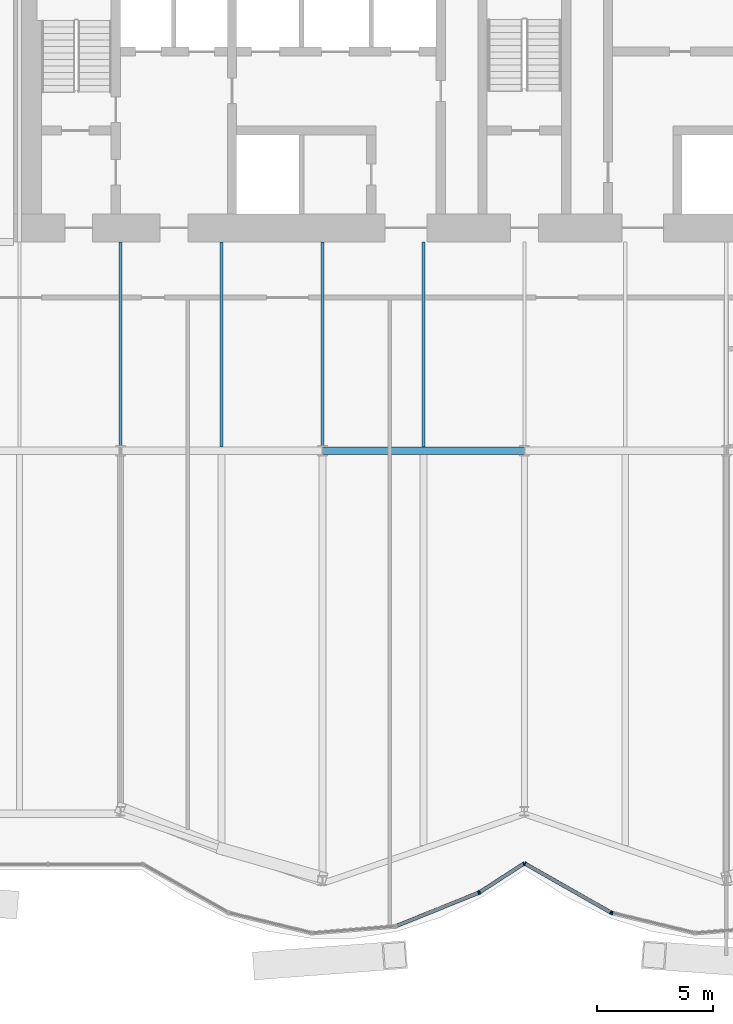
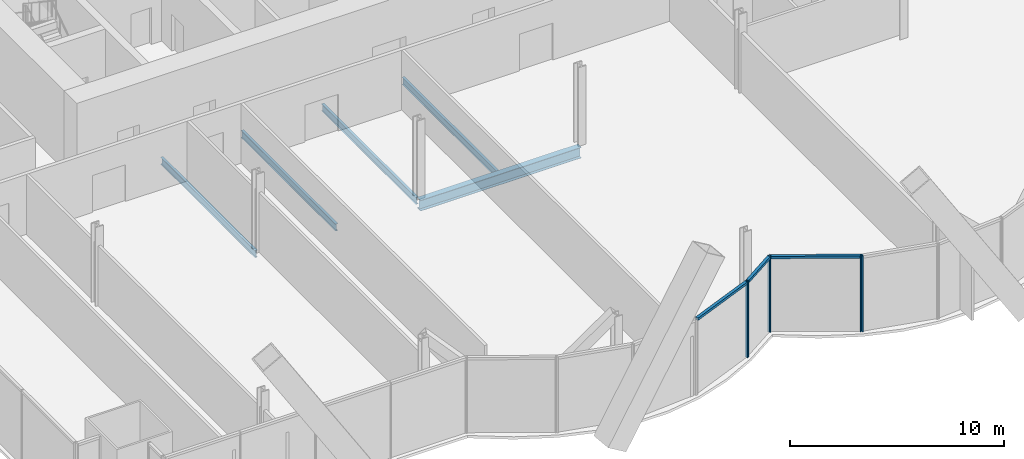
# One storey, part 7 of 22: 9 members, 5 beams, 2 elements without a shape of their own.
"""IFC4 building model written with IfcOpenShell, lengths in metres."""

from ifc_helpers import new_model, si_unit, direction, frame, origin, origin_2d, place, context, subcontext, project, spatial, rectangle, i_section, extrude, material, material_profile, profile_set, type_object, element, aggregate, save


model = new_model("IFC4")

# Units and contexts
model_context = context("Model", 3, precision=1e-05, world=origin(), true_north=direction((0.0, 1.0)))
body_context = subcontext(model_context, "Body", "Model", "MODEL_VIEW")
ifc_project = project(units=[si_unit("LENGTHUNIT", "METRE"), si_unit("AREAUNIT", "SQUARE_METRE"), si_unit("VOLUMEUNIT", "CUBIC_METRE"), si_unit("PLANEANGLEUNIT", "RADIAN"), si_unit("MASSUNIT", "GRAM", prefix="KILO")], contexts=[model_context])

# Site, building, storey
site_placement = place(None, origin())
site = spatial("IfcSite", under=ifc_project, at=site_placement, CompositionType="ELEMENT")
building_placement = place(site_placement, origin())
building = spatial("IfcBuilding", under=site, at=building_placement, Name="Bicima Exchange Tower", CompositionType="ELEMENT")
storey_placement = place(building_placement, frame((0.0, 0.0, 71.0)))
storey = spatial("IfcBuildingStorey", under=building, at=storey_placement, Name="L14", CompositionType="ELEMENT", Elevation=71.0)

# Beams
ifc_material_1 = material(Name="Steel ASTM A992 Gr 50", Category="steel")
ifc_material_profile_1 = material_profile(ifc_material_1, i_section(OverallWidth=0.140380859375, OverallDepth=0.40380859375, WebThickness=0.007080078125, FlangeThickness=0.01123046875, at=origin_2d()))
ifc_profile_set_1 = profile_set([ifc_material_profile_1], Name="Steel ASTM A992 Gr 50")
beam_type_1 = type_object("IfcBeamType", Name="Floor beam W16x31", PredefinedType="JOIST", material=ifc_profile_set_1)
for number, where, z_axis, x_axis, name in (
    (1, (-17.39990234375, -13.0, -0.351806640625), (0.0, -1.0, 0.0), (1.0, 0.0, 0.0), "Floor beam"),
    (2, (-13.050048828125, -13.0, -0.351806640625), (0.0, -1.0, 0.0), (1.0, 0.0, 0.0), "Floor beam"),
    (3, (-8.699951171875, -13.0, -0.351806640625), (0.0, -1.0, 0.0), (1.0, 0.0, 0.0), "Floor beam"),
    (4, (-4.35009765625, -13.0, -0.351806640625), (0.0, -1.0, 0.0), (1.0, 0.0, 0.0), "Floor beam"),
):
    element("IfcBeam", number, at=place(storey_placement, frame(where, z_axis=z_axis, x_axis=x_axis)), inside=storey, type_object=beam_type_1, Name=name, PredefinedType="JOIST", context=body_context, shape_type="SweptSolid", body=[
        extrude(i_section(OverallWidth=0.140380859375, OverallDepth=0.40380859375, WebThickness=0.007080078125, FlangeThickness=0.01123046875, at=origin_2d()), origin(), (0.0, 0.0, 1.0), 8.83740234375),
    ])

# Curtain wall, members
ifc_material_2 = material(Name="Anodised bronze aluminium", Category="aluminium")
curtain_wall_type = type_object("IfcCurtainWallType", Name="Front glass wall", PredefinedType="NOTDEFINED", material=ifc_material_2)
curtain_wall_1_placement = place(storey_placement, origin())
curtain_wall_1 = element("IfcCurtainWall", 5, at=curtain_wall_1_placement, inside=storey, type_object=curtain_wall_type, Name="Front glass wall L14 run 6", PredefinedType="NOTDEFINED")
ifc_material_profile_2 = material_profile(ifc_material_2, rectangle(XDim=0.159912109375, YDim=0.06005859375, at=origin_2d()))
ifc_profile_set_2 = profile_set([ifc_material_profile_2], Name="Anodised bronze aluminium")
member_type_1 = type_object("IfcMemberType", Name="Front glass wall mullion 60 x 160", PredefinedType="MULLION", material=ifc_profile_set_2)
member_1_placement = place(storey_placement, frame((-1.97412109375, -41.043701171875, 0.0), z_axis=(0.0, 0.0, 1.0), x_axis=(-0.374705304, 0.92714396679, 0.0)))
member_1 = element("IfcMember", 6, at=member_1_placement, type_object=member_type_1, Name="Front glass wall mullion 2", PredefinedType="MULLION", context=body_context, shape_type="SweptSolid", body=[
    extrude(rectangle(XDim=0.159912109375, YDim=0.06005859375, at=origin_2d()), origin(), (0.0, 0.0, 1.0), 4.35009765625),
])
member_2_placement = place(storey_placement, frame((-1.921142578125, -41.01611328125, 0.0), z_axis=(0.0, 0.0, 1.0), x_axis=(-0.542897457326, 0.839798994301, 0.0)))
member_2 = element("IfcMember", 7, at=member_2_placement, type_object=member_type_1, Name="Front glass wall mullion 1", PredefinedType="MULLION", context=body_context, shape_type="SweptSolid", body=[
    extrude(rectangle(XDim=0.159912109375, YDim=0.06005859375, at=origin_2d()), origin(), (0.0, 0.0, 1.0), 4.35009765625),
])
member_3_placement = place(storey_placement, frame((-0.025146484375, -39.790283203125, 0.0), z_axis=(0.0, 0.0, 1.0), x_axis=(-0.542897457326, 0.839798994301, 0.0)))
member_3 = element("IfcMember", 8, at=member_3_placement, type_object=member_type_1, Name="Front glass wall mullion 2", PredefinedType="MULLION", context=body_context, shape_type="SweptSolid", body=[
    extrude(rectangle(XDim=0.159912109375, YDim=0.06005859375, at=origin_2d()), origin(), (0.0, 0.0, 1.0), 4.35009765625),
])

curtain_wall_2_placement = place(storey_placement, origin())
curtain_wall_2 = element("IfcCurtainWall", 9, at=curtain_wall_2_placement, inside=storey, type_object=curtain_wall_type, Name="Front glass wall L14 run 11", PredefinedType="NOTDEFINED")
member_4_placement = place(storey_placement, frame((0.026123046875, -39.7890625, 0.0), z_axis=(0.0, 0.0, 1.0), x_axis=(0.494330311331, 0.869274147378, 0.0)))
member_4 = element("IfcMember", 10, at=member_4_placement, type_object=member_type_1, Name="Front glass wall mullion 1", PredefinedType="MULLION", context=body_context, shape_type="SweptSolid", body=[
    extrude(rectangle(XDim=0.159912109375, YDim=0.06005859375, at=origin_2d()), origin(), (0.0, 0.0, 1.0), 4.35009765625),
])
member_5_placement = place(storey_placement, frame((3.7265625, -41.893310546875, 0.0), z_axis=(0.0, 0.0, 1.0), x_axis=(0.494330311331, 0.869274147378, 0.0)))
member_5 = element("IfcMember", 11, at=member_5_placement, type_object=member_type_1, Name="Front glass wall mullion 2", PredefinedType="MULLION", context=body_context, shape_type="SweptSolid", body=[
    extrude(rectangle(XDim=0.159912109375, YDim=0.06005859375, at=origin_2d()), origin(), (0.0, 0.0, 1.0), 4.35009765625),
])
member_6_placement = place(storey_placement, frame((3.781982421875, -41.915283203125, 0.0), z_axis=(0.0, 0.0, 1.0), x_axis=(0.235681529503, 0.971830343553, 0.0)))
member_6 = element("IfcMember", 12, at=member_6_placement, type_object=member_type_1, Name="Front glass wall mullion 1", PredefinedType="MULLION", context=body_context, shape_type="SweptSolid", body=[
    extrude(rectangle(XDim=0.159912109375, YDim=0.06005859375, at=origin_2d()), origin(), (0.0, 0.0, 1.0), 4.35009765625),
])

# Member
ifc_material_profile_3 = material_profile(ifc_material_2, rectangle(XDim=0.159912109375, YDim=0.139892578125, at=origin_2d()))
ifc_profile_set_3 = profile_set([ifc_material_profile_3], Name="Anodised bronze aluminium")
member_type_2 = type_object("IfcMemberType", Name="Front glass wall transom 140 x 160", PredefinedType="USERDEFINED", material=ifc_profile_set_3)
member_7_placement = place(storey_placement, frame((-5.498291015625, -42.468017578125, 4.280029296875), z_axis=(0.927117723275, 0.374770232528, 0.0), x_axis=(-0.374770232528, 0.927117723275, 0.0)))
member_7 = element("IfcMember", 13, at=member_7_placement, type_object=member_type_2, Name="Front glass wall transom 1.1", ObjectType="TRANSOM", PredefinedType="USERDEFINED", context=body_context, shape_type="SweptSolid", body=[
    extrude(rectangle(XDim=0.159912109375, YDim=0.139892578125, at=origin_2d()), origin(), (0.0, 0.0, 1.0), 3.771240234375),
])

member_8_placement = place(storey_placement, frame((-1.89599609375, -40.999755859375, 4.280029296875), z_axis=(0.839811483481, 0.542878137536, 0.0), x_axis=(-0.542878137536, 0.839811483481, 0.0)))
member_8 = element("IfcMember", 14, at=member_8_placement, type_object=member_type_2, Name="Front glass wall transom 1.1", ObjectType="TRANSOM", PredefinedType="USERDEFINED", context=body_context, shape_type="SweptSolid", body=[
    extrude(rectangle(XDim=0.159912109375, YDim=0.139892578125, at=origin_2d()), origin(), (0.0, 0.0, 1.0), 2.19775390625),
])

aggregate(curtain_wall_1, [member_1, member_7, member_2, member_3, member_8])

member_9_placement = place(storey_placement, frame((0.05224609375, -39.8037109375, 4.280029296875), z_axis=(0.869265121745, -0.494346182466, 0.0), x_axis=(0.494346182466, 0.869265121745, 0.0)))
member_9 = element("IfcMember", 15, at=member_9_placement, type_object=member_type_2, Name="Front glass wall transom 1.1", ObjectType="TRANSOM", PredefinedType="USERDEFINED", context=body_context, shape_type="SweptSolid", body=[
    extrude(rectangle(XDim=0.159912109375, YDim=0.139892578125, at=origin_2d()), origin(), (0.0, 0.0, 1.0), 4.19677734375),
])

aggregate(curtain_wall_2, [member_4, member_5, member_9, member_6])

# Beam
ifc_material_profile_4 = material_profile(ifc_material_1, i_section(OverallWidth=0.3251953125, OverallDepth=0.612060546875, WebThickness=0.0126953125, FlangeThickness=0.01904296875, at=origin_2d()))
ifc_profile_set_4 = profile_set([ifc_material_profile_4], Name="Steel ASTM A992 Gr 50")
beam_type_2 = type_object("IfcBeamType", Name="Row girder W24x104", PredefinedType="BEAM", material=ifc_profile_set_4)
beam_placement = place(storey_placement, frame((-8.699951171875, -22.0, -0.4560546875), z_axis=(1.0, 0.0, 0.0), x_axis=(0.0, 1.0, 0.0)))
element("IfcBeam", 16, at=beam_placement, inside=storey, type_object=beam_type_2, Name="Row girder", PredefinedType="BEAM", context=body_context, shape_type="SweptSolid", body=[
    extrude(i_section(OverallWidth=0.3251953125, OverallDepth=0.612060546875, WebThickness=0.0126953125, FlangeThickness=0.01904296875, at=origin_2d()), origin(), (0.0, 0.0, 1.0), 8.699951171875),
])

save(model, "model.ifc")
